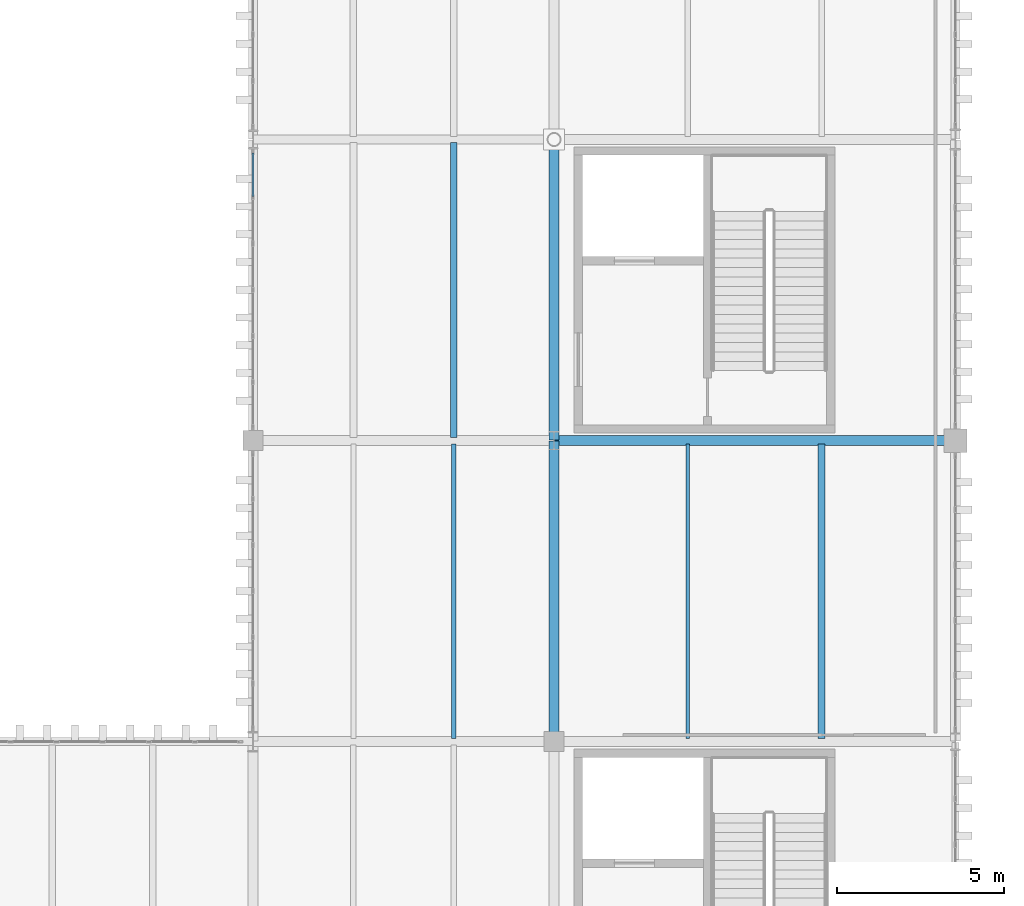
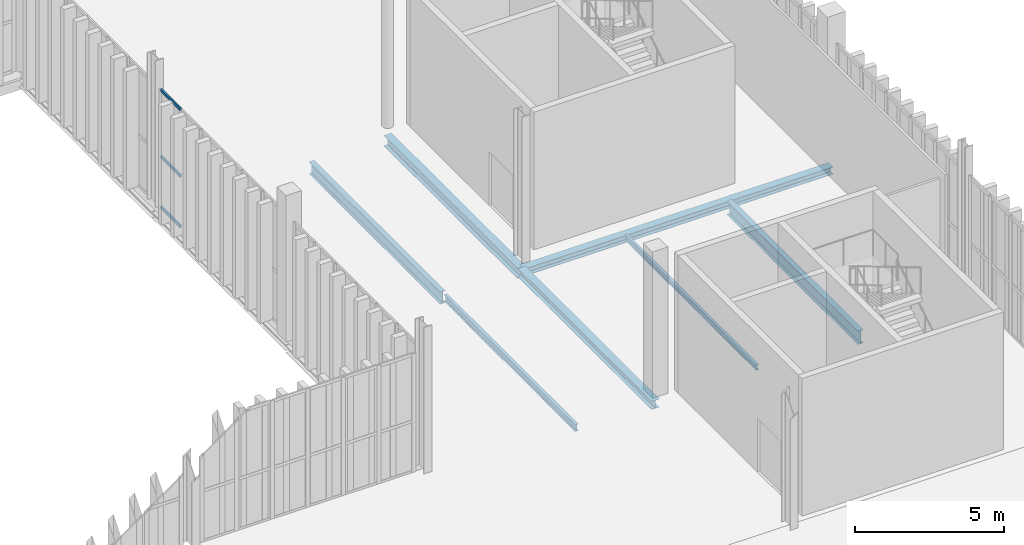
# One storey, part 145 of 237: 7 beams, 3 members, 1 element without a shape of its own.
"""IFC4 building model written with IfcOpenShell, lengths in metres."""

import ifcopenshell
import ifcopenshell.guid

model = None  # the IFC model being written
_history = None  # IfcOwnerHistory: only IFC2X3 demands one
_inside = {}  # id of a spatial element -> (the spatial element, [elements in it])
_under = {}  # id of a project, library or spatial element -> (it, [spatial elements below it])
_declared = {}  # id of a project -> (the project, [libraries it declares])
_typed = {}  # id of a type object -> (the type object, [elements of that type])
_made_of = {}  # id of a material, layer set ... -> (it, [elements and type objects made of it])


def new_model(schema):
    """Start an empty IFC model of exactly this schema.

    Asked for "IFC4X3", IfcOpenShell would pick the latest addendum, in which some entities
    have other attributes; the version numbers below select the first issue.
    IFC2X3 requires an IfcOwnerHistory on every rooted entity: one is made here for all.
    """
    global model, _history
    if schema == "IFC4X3":
        model = ifcopenshell.file(schema_version=(4, 3, 0, 0))
    else:
        model = ifcopenshell.file(schema=schema)
    _inside.clear()
    _under.clear()
    _declared.clear()
    _typed.clear()
    _made_of.clear()
    _history = None
    if model.schema == "IFC2X3":
        org = make("IfcOrganization", Name="unknown")
        user = make(
            "IfcPersonAndOrganization",
            ThePerson=make("IfcPerson", FamilyName="unknown"),
            TheOrganization=org,
        )
        app = make(
            "IfcApplication",
            ApplicationDeveloper=org,
            Version="unknown",
            ApplicationFullName="unknown",
            ApplicationIdentifier="unknown",
        )
        _history = make(
            "IfcOwnerHistory",
            OwningUser=user,
            OwningApplication=app,
            ChangeAction="ADDED",
            CreationDate=0,
        )
    return model


def make(cls, **values):
    """One entity of the class cls with the attributes given. An attribute that is None is left unset."""
    return model.create_entity(
        cls, **{name: value for name, value in values.items() if value is not None}
    )


def rooted(cls, **values):
    """An entity with a GlobalId (a new one), such as an element, a storey or a relation."""
    return make(cls, GlobalId=ifcopenshell.guid.new(), OwnerHistory=_history, **values)


def si_unit(unit_type, name, prefix=None):
    """IfcSIUnit, for example si_unit("LENGTHUNIT", "METRE", prefix="MILLI")."""
    return make("IfcSIUnit", UnitType=unit_type, Prefix=prefix, Name=name)


def assignment(units):
    """IfcUnitAssignment: the units of a project."""
    return None if units is None else make("IfcUnitAssignment", Units=units)


def point(xyz):
    """IfcCartesianPoint."""
    return None if xyz is None else make("IfcCartesianPoint", Coordinates=xyz)


def direction(xyz):
    """IfcDirection."""
    return None if xyz is None else make("IfcDirection", DirectionRatios=xyz)


def frame(location, z_axis=None, x_axis=None):
    """IfcAxis2Placement3D, a coordinate frame: its origin and axes. An axis left out is left unset."""
    return make(
        "IfcAxis2Placement3D",
        Location=point(location),
        Axis=direction(z_axis),
        RefDirection=direction(x_axis),
    )


def frame_2d(location, x_axis=None):
    """IfcAxis2Placement2D, a coordinate frame in the plane: its origin and x axis."""
    return make(
        "IfcAxis2Placement2D", Location=point(location), RefDirection=direction(x_axis)
    )


def origin():
    """The frame at (0, 0, 0) with its axes left unset."""
    return frame((0.0, 0.0, 0.0))


def origin_2d():
    """The frame at (0, 0) in the plane with its x axis left unset."""
    return frame_2d((0.0, 0.0))


def place(relative_to, where):
    """IfcLocalPlacement: puts the frame where relative to a parent placement (None: the world)."""
    return make(
        "IfcLocalPlacement", PlacementRelTo=relative_to, RelativePlacement=where
    )


def context(
    kind, dimensions, precision=None, world=None, true_north=None, identifier=None
):
    """IfcGeometricRepresentationContext, for example the 3D "Model" context."""
    return make(
        "IfcGeometricRepresentationContext",
        ContextIdentifier=identifier,
        ContextType=kind,
        CoordinateSpaceDimension=dimensions,
        Precision=precision,
        WorldCoordinateSystem=world,
        TrueNorth=true_north,
    )


def subcontext(parent, identifier, kind, view, scale=None):
    """IfcGeometricRepresentationSubContext, for example "Body" below "Model"."""
    return make(
        "IfcGeometricRepresentationSubContext",
        ContextIdentifier=identifier,
        ContextType=kind,
        ParentContext=parent,
        TargetScale=scale,
        TargetView=view,
    )


def project(units=None, contexts=None):
    """IfcProject with its units and contexts."""
    return rooted(
        "IfcProject",
        Name="project",
        RepresentationContexts=contexts,
        UnitsInContext=assignment(units),
    )


def spatial(cls, under=None, at=None, **own):
    """A site, building, storey or space (cls), placed at a placement, below another one or the project."""
    s = rooted(cls, ObjectPlacement=at, **own)
    if under is not None:
        _under.setdefault(under.id(), (under, []))[1].append(s)
    return s


def profile(cls, at=None, kind="AREA", **sizes):
    """A parametric profile (cls). Its sizes go by their IFC names, for example OverallWidth=200.0."""
    return make(cls, ProfileType=kind, Position=at, **sizes)


def hollow_rectangle(**sizes):
    """IfcRectangleHollowProfileDef."""
    return profile("IfcRectangleHollowProfileDef", **sizes)


def i_section(**sizes):
    """IfcIShapeProfileDef."""
    return profile("IfcIShapeProfileDef", **sizes)


def extrude(swept, where, along, depth):
    """IfcExtrudedAreaSolid: the profile swept, set in the frame where, extruded along a direction by depth."""
    return make(
        "IfcExtrudedAreaSolid",
        SweptArea=swept,
        Position=where,
        ExtrudedDirection=direction(along),
        Depth=depth,
    )


def shape(context_of_items, identifier, shape_type, items):
    """IfcShapeRepresentation: the items that make up one representation, for example the "Body"."""
    return make(
        "IfcShapeRepresentation",
        ContextOfItems=context_of_items,
        RepresentationIdentifier=identifier,
        RepresentationType=shape_type,
        Items=items,
    )


def material(Name=None, Category=None):
    """IfcMaterial."""
    return make("IfcMaterial", Name=Name, Category=Category)


def layer(
    of_material, thickness, ventilated=None, Name=None, Category=None, Priority=None
):
    """IfcMaterialLayer: one layer of a wall or slab, of a material (None: an air gap)."""
    return make(
        "IfcMaterialLayer",
        Material=of_material,
        LayerThickness=thickness,
        IsVentilated=ventilated,
        Name=Name,
        Category=Category,
        Priority=Priority,
    )


def layer_set(layers, Name=None):
    """IfcMaterialLayerSet."""
    return make("IfcMaterialLayerSet", MaterialLayers=layers, LayerSetName=Name)


def material_profile(
    of_material, cross_section, Name=None, Category=None, Priority=None
):
    """IfcMaterialProfile: a cross section and its material."""
    return make(
        "IfcMaterialProfile",
        Name=Name,
        Material=of_material,
        Profile=cross_section,
        Priority=Priority,
        Category=Category,
    )


def profile_set(profiles, Name=None, composite=None):
    """IfcMaterialProfileSet."""
    return make(
        "IfcMaterialProfileSet",
        Name=Name,
        MaterialProfiles=profiles,
        CompositeProfile=composite,
    )


def made_of(thing, what):
    """Note that an element or type object is made of a material, layer set ...; save() writes the relation."""
    if what is not None:
        _made_of.setdefault(what.id(), (what, []))[1].append(thing)
    return thing


def type_object(cls, material=None, **own):
    """A type object (cls), such as IfcWallType, which elements share."""
    return made_of(rooted(cls, **own), material)


def element(
    cls,
    number,
    at=None,
    inside=None,
    cuts=None,
    type_object=None,
    material=None,
    context=None,
    identifier="Body",
    shape_type=None,
    held_by="IfcProductDefinitionShape",
    body=None,
    shapes=None,
    **own,
):
    """One element of the class cls, such as IfcWall. Its Tag is "e" and its number.

    at: its placement. inside: the storey or other place that contains it. cuts: it is an
    opening in that element (IfcRelVoidsElement). A single representation is given by context,
    identifier, shape_type and body (its items); several are given by shapes. held_by: the class
    of the entity that holds the representations. save() writes the other relations.
    """
    e = rooted(cls, Tag="e%d" % number, ObjectPlacement=at, **own)
    if body is not None:
        shapes = [shape(context, identifier, shape_type, body)]
    if shapes is not None:
        e.Representation = make(held_by, Representations=shapes)
    if inside is not None:
        _inside.setdefault(inside.id(), (inside, []))[1].append(e)
    if cuts is not None:
        rooted(
            "IfcRelVoidsElement", RelatingBuildingElement=cuts, RelatedOpeningElement=e
        )
    if type_object is not None:
        _typed.setdefault(type_object.id(), (type_object, []))[1].append(e)
    return made_of(e, material)


def aggregate(whole, parts):
    """IfcRelAggregates: a whole, such as a stair, and the parts it consists of."""
    return rooted("IfcRelAggregates", RelatingObject=whole, RelatedObjects=parts)


def save(model, path):
    """Write the relations noted so far, then the file.

    IfcRelAggregates (storeys below a building ...), IfcRelContainedInSpatialStructure (elements
    in a storey), IfcRelDefinesByType, IfcRelAssociatesMaterial and IfcRelDeclares: one each for
    every whole, place, type object, material and project.
    """
    for whole, parts in _under.values():
        aggregate(whole, parts)
    for where, things in _inside.values():
        rooted(
            "IfcRelContainedInSpatialStructure",
            RelatedElements=things,
            RelatingStructure=where,
        )
    for kind, things in _typed.values():
        rooted("IfcRelDefinesByType", RelatedObjects=things, RelatingType=kind)
    for what, things in _made_of.values():
        rooted("IfcRelAssociatesMaterial", RelatedObjects=things, RelatingMaterial=what)
    for by, libraries in _declared.values():
        rooted("IfcRelDeclares", RelatingContext=by, RelatedDefinitions=libraries)
    model.write(path)


model = new_model("IFC4")

# Units and contexts
model_context = context("Model", 3, precision=1e-05, world=origin(), true_north=direction((0.0, 1.0)))
body_context = subcontext(model_context, "Body", "Model", "MODEL_VIEW")
ifc_project = project(units=[si_unit("LENGTHUNIT", "METRE"), si_unit("AREAUNIT", "SQUARE_METRE"), si_unit("VOLUMEUNIT", "CUBIC_METRE"), si_unit("PLANEANGLEUNIT", "RADIAN"), si_unit("MASSUNIT", "GRAM", prefix="KILO")], contexts=[model_context])

# Site, building, storey
site_placement = place(None, origin())
site = spatial("IfcSite", under=ifc_project, at=site_placement, CompositionType="ELEMENT")
building_placement = place(site_placement, origin())
building = spatial("IfcBuilding", under=site, at=building_placement, Name="Barlavento Convention Centre", CompositionType="ELEMENT")
storey_placement = place(building_placement, frame((0.0, 0.0, 12.0)))
storey = spatial("IfcBuildingStorey", under=building, at=storey_placement, Name="L02", CompositionType="ELEMENT", Elevation=12.0)

# Curtain wall, members
ifc_material_1 = material(Name="Powder-coated aluminium and Low-E glass", Category="aluminium")
ifc_layer = layer(ifc_material_1, 0.195068359375)
ifc_layer_set = layer_set([ifc_layer], Name="ARC-CW-PATIO-A")
curtain_wall_type = type_object("IfcCurtainWallType", Name="ARC-CW-PATIO-A", PredefinedType="NOTDEFINED", material=ifc_layer_set)
curtain_wall_placement = place(storey_placement, origin())
curtain_wall = element("IfcCurtainWall", 1, at=curtain_wall_placement, inside=storey, type_object=curtain_wall_type, Name="L02 unitised curtain wall CW11", PredefinedType="NOTDEFINED")
ifc_material_2 = material(Name="Powder-coated aluminium", Category="aluminium")
ifc_material_profile_1 = material_profile(ifc_material_2, hollow_rectangle(XDim=0.06005859375, YDim=0.1201171875, WallThickness=0.00390625, at=origin_2d()), Name="AL-TRAN 60x120x4")
ifc_profile_set_1 = profile_set([ifc_material_profile_1], Name="Powder-coated aluminium")
member_type = type_object("IfcMemberType", Name="ARC-CWT-60X120", PredefinedType="USERDEFINED", material=ifc_profile_set_1)
member_1_placement = place(storey_placement, frame((171.0, 79.3017578125, 0.030029296875), z_axis=(0.0, 1.0, 0.0), x_axis=(-1.0, 0.0, 0.0)))
member_1 = element("IfcMember", 2, at=member_1_placement, type_object=member_type, Name="CW11 transom 6.1", ObjectType="TRANSOM", PredefinedType="USERDEFINED", context=body_context, shape_type="SweptSolid", body=[
    extrude(hollow_rectangle(XDim=0.06005859375, YDim=0.1201171875, WallThickness=0.00390625, at=origin_2d()), origin(), (0.0, 0.0, 1.0), 1.292236328125),
])
member_2_placement = place(storey_placement, frame((171.0, 79.3017578125, 2.10009765625), z_axis=(0.0, 1.0, 0.0), x_axis=(-1.0, 0.0, 0.0)))
member_2 = element("IfcMember", 3, at=member_2_placement, type_object=member_type, Name="CW11 transom 6.2", ObjectType="TRANSOM", PredefinedType="USERDEFINED", context=body_context, shape_type="SweptSolid", body=[
    extrude(hollow_rectangle(XDim=0.06005859375, YDim=0.1201171875, WallThickness=0.00390625, at=origin_2d()), origin(), (0.0, 0.0, 1.0), 1.292236328125),
])
member_3_placement = place(storey_placement, frame((171.0, 79.3017578125, 4.820068359375), z_axis=(0.0, 1.0, 0.0), x_axis=(-1.0, 0.0, 0.0)))
member_3 = element("IfcMember", 4, at=member_3_placement, type_object=member_type, Name="CW11 transom 6.3", ObjectType="TRANSOM", PredefinedType="USERDEFINED", context=body_context, shape_type="SweptSolid", body=[
    extrude(hollow_rectangle(XDim=0.06005859375, YDim=0.1201171875, WallThickness=0.00390625, at=origin_2d()), origin(), (0.0, 0.0, 1.0), 1.292236328125),
])
aggregate(curtain_wall, [member_1, member_2, member_3])

# Beams
ifc_material_3 = material(Name="Steel S355", Category="steel")
ifc_material_profile_2 = material_profile(ifc_material_3, i_section(OverallWidth=0.110107421875, OverallDepth=0.219970703125, WebThickness=0.005859375, FlangeThickness=0.00927734375, FilletRadius=0.011962890625, at=origin_2d()), Name="IPE 220")
ifc_profile_set_2 = profile_set([ifc_material_profile_2], Name="Steel S355")
beam_type_1 = type_object("IfcBeamType", Name="STR-BM-JST-IPE220", PredefinedType="JOIST", material=ifc_profile_set_2)
beam_1_placement = place(storey_placement, frame((184.0, 63.094970703125, -0.469970703125), z_axis=(0.0, 1.0, 0.0), x_axis=(-1.0, 0.0, 0.0)))
element("IfcBeam", 5, at=beam_1_placement, inside=storey, type_object=beam_type_1, Name="L02 composite floor joist SJ10", PredefinedType="JOIST", context=body_context, shape_type="SweptSolid", body=[
    extrude(i_section(OverallWidth=0.110107421875, OverallDepth=0.219970703125, WebThickness=0.005859375, FlangeThickness=0.00927734375, FilletRadius=0.011962890625, at=origin_2d()), origin(), (0.0, 0.0, 1.0), 8.81005859375),
])
ifc_material_profile_3 = material_profile(ifc_material_3, i_section(OverallWidth=0.135009765625, OverallDepth=0.27001953125, WebThickness=0.006591796875, FlangeThickness=0.01025390625, FilletRadius=0.014892578125, at=origin_2d()), Name="IPE 270")
ifc_profile_set_3 = profile_set([ifc_material_profile_3], Name="Steel S355")
beam_type_2 = type_object("IfcBeamType", Name="STR-BM-JST-IPE270", PredefinedType="JOIST", material=ifc_profile_set_3)
beam_2_placement = place(storey_placement, frame((177.0, 63.094970703125, -0.4951171875), z_axis=(0.0, 1.0, 0.0), x_axis=(-1.0, 0.0, 0.0)))
element("IfcBeam", 6, at=beam_2_placement, inside=storey, type_object=beam_type_2, Name="L02 composite floor joist SJ08", PredefinedType="JOIST", context=body_context, shape_type="SweptSolid", body=[
    extrude(i_section(OverallWidth=0.135009765625, OverallDepth=0.27001953125, WebThickness=0.006591796875, FlangeThickness=0.01025390625, FilletRadius=0.014892578125, at=origin_2d()), origin(), (0.0, 0.0, 1.0), 8.81005859375),
])
ifc_material_profile_4 = material_profile(ifc_material_3, i_section(OverallWidth=0.199951171875, OverallDepth=0.5, WebThickness=0.01025390625, FlangeThickness=0.01611328125, FilletRadius=0.02099609375, at=origin_2d()), Name="IPE 500")
ifc_profile_set_4 = profile_set([ifc_material_profile_4], Name="Steel S355")
beam_type_3 = type_object("IfcBeamType", Name="STR-BM-JST-IPE500", PredefinedType="JOIST", material=ifc_profile_set_4)
beam_3_placement = place(storey_placement, frame((177.0, 72.094970703125, -0.610107421875), z_axis=(0.0, 1.0, 0.0), x_axis=(-1.0, 0.0, 0.0)))
element("IfcBeam", 7, at=beam_3_placement, inside=storey, type_object=beam_type_3, Name="L02 composite floor joist SJ02", PredefinedType="JOIST", context=body_context, shape_type="SweptSolid", body=[
    extrude(i_section(OverallWidth=0.199951171875, OverallDepth=0.5, WebThickness=0.01025390625, FlangeThickness=0.01611328125, FilletRadius=0.02099609375, at=origin_2d()), origin(), (0.0, 0.0, 1.0), 8.81005859375),
])
ifc_material_profile_5 = material_profile(ifc_material_3, i_section(OverallWidth=0.2099609375, OverallDepth=0.550048828125, WebThickness=0.010986328125, FlangeThickness=0.01708984375, FilletRadius=0.02392578125, at=origin_2d()), Name="IPE 550")
ifc_profile_set_5 = profile_set([ifc_material_profile_5], Name="Steel S355")
beam_type_4 = type_object("IfcBeamType", Name="STR-BM-JST-IPE550", PredefinedType="JOIST", material=ifc_profile_set_5)
beam_4_placement = place(storey_placement, frame((188.0, 63.094970703125, -0.635009765625), z_axis=(0.0, 1.0, 0.0), x_axis=(-1.0, 0.0, 0.0)))
element("IfcBeam", 8, at=beam_4_placement, inside=storey, type_object=beam_type_4, Name="L02 composite floor joist SJ01", PredefinedType="JOIST", context=body_context, shape_type="SweptSolid", body=[
    extrude(i_section(OverallWidth=0.2099609375, OverallDepth=0.550048828125, WebThickness=0.010986328125, FlangeThickness=0.01708984375, FilletRadius=0.02392578125, at=origin_2d()), origin(), (0.0, 0.0, 1.0), 8.81005859375),
])
ifc_material_profile_6 = material_profile(ifc_material_3, i_section(OverallWidth=0.300048828125, OverallDepth=0.35009765625, WebThickness=0.010009765625, FlangeThickness=0.017578125, FilletRadius=0.027099609375, at=origin_2d()), Name="HEA 360")
ifc_profile_set_6 = profile_set([ifc_material_profile_6], Name="Steel S355")
beam_type_5 = type_object("IfcBeamType", Name="STR-BM-PRI-HEA360", PredefinedType="BEAM", material=ifc_profile_set_6)
beam_5_placement = place(storey_placement, frame((180.0, 63.02001953125, -0.534912109375), z_axis=(0.0, 1.0, 0.0), x_axis=(-1.0, 0.0, 0.0)))
element("IfcBeam", 9, at=beam_5_placement, inside=storey, type_object=beam_type_5, Name="L02 grid girder BG23", PredefinedType="BEAM", context=body_context, shape_type="SweptSolid", body=[
    extrude(i_section(OverallWidth=0.300048828125, OverallDepth=0.35009765625, WebThickness=0.010009765625, FlangeThickness=0.017578125, FilletRadius=0.027099609375, at=origin_2d()), origin(), (0.0, 0.0, 1.0), 8.9599609375),
])
ifc_material_profile_7 = material_profile(ifc_material_3, i_section(OverallWidth=0.300048828125, OverallDepth=0.43994140625, WebThickness=0.011474609375, FlangeThickness=0.02099609375, FilletRadius=0.027099609375, at=origin_2d()), Name="HEA 450")
ifc_profile_set_7 = profile_set([ifc_material_profile_7], Name="Steel S355")
beam_type_6 = type_object("IfcBeamType", Name="STR-BM-PRI-HEA450", PredefinedType="BEAM", material=ifc_profile_set_7)
beam_6_placement = place(storey_placement, frame((180.0, 72.02001953125, -0.580078125), z_axis=(0.0, 1.0, 0.0), x_axis=(-1.0, 0.0, 0.0)))
element("IfcBeam", 10, at=beam_6_placement, inside=storey, type_object=beam_type_6, Name="L02 grid girder BG21", PredefinedType="BEAM", context=body_context, shape_type="SweptSolid", body=[
    extrude(i_section(OverallWidth=0.300048828125, OverallDepth=0.43994140625, WebThickness=0.011474609375, FlangeThickness=0.02099609375, FilletRadius=0.027099609375, at=origin_2d()), origin(), (0.0, 0.0, 1.0), 8.9599609375),
])
ifc_material_profile_8 = material_profile(ifc_material_3, i_section(OverallWidth=0.300048828125, OverallDepth=0.300048828125, WebThickness=0.010986328125, FlangeThickness=0.01904296875, FilletRadius=0.027099609375, at=origin_2d()), Name="HEB 300")
ifc_profile_set_8 = profile_set([ifc_material_profile_8], Name="Steel S355")
beam_type_7 = type_object("IfcBeamType", Name="STR-BM-PRI-HEB300", PredefinedType="BEAM", material=ifc_profile_set_8)
beam_7_placement = place(storey_placement, frame((180.02001953125, 72.0, -0.510009765625), z_axis=(1.0, 0.0, 0.0), x_axis=(0.0, 1.0, 0.0)))
element("IfcBeam", 11, at=beam_7_placement, inside=storey, type_object=beam_type_7, Name="L02 primary girder BG14", PredefinedType="BEAM", context=body_context, shape_type="SweptSolid", body=[
    extrude(i_section(OverallWidth=0.300048828125, OverallDepth=0.300048828125, WebThickness=0.010986328125, FlangeThickness=0.01904296875, FilletRadius=0.027099609375, at=origin_2d()), origin(), (0.0, 0.0, 1.0), 11.9599609375),
])

save(model, "model.ifc")
